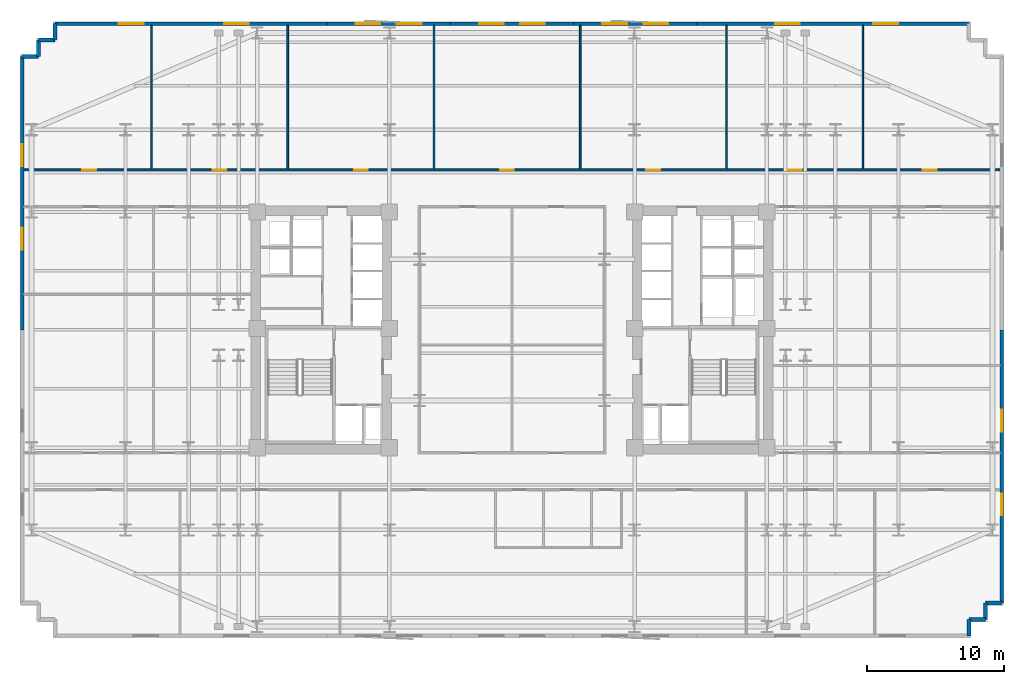
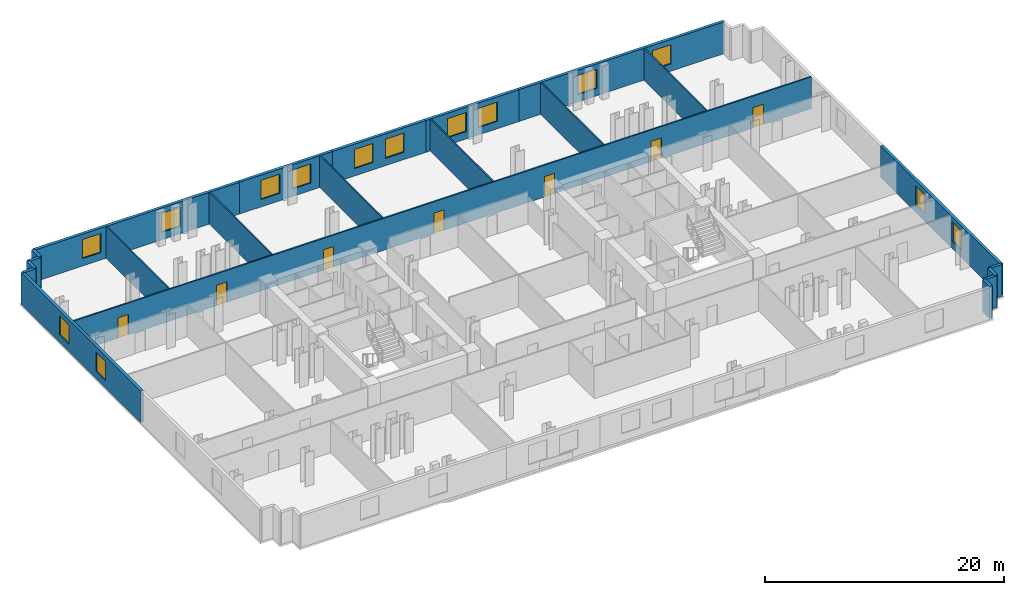
# One storey, part 7 of 10: 22 walls, 14 windows, 7 doors, 21 openings.
"""IFC4 building model written with IfcOpenShell, lengths in metres."""

from ifc_helpers import new_model, si_unit, direction, frame, frame_2d, origin, place, context, subcontext, project, spatial, rectangle, extrude, material, layer, layer_set, type_object, element, fill, save


model = new_model("IFC4")

# Units and contexts
model_context = context("Model", 3, precision=1e-05, world=origin(), true_north=direction((0.0, 1.0)))
body_context = subcontext(model_context, "Body", "Model", "MODEL_VIEW")
ifc_project = project(units=[si_unit("LENGTHUNIT", "METRE"), si_unit("AREAUNIT", "SQUARE_METRE"), si_unit("VOLUMEUNIT", "CUBIC_METRE"), si_unit("PLANEANGLEUNIT", "RADIAN"), si_unit("MASSUNIT", "GRAM", prefix="KILO")], contexts=[model_context])

# Site, building, storey
site_placement = place(None, origin())
site = spatial("IfcSite", under=ifc_project, at=site_placement, CompositionType="ELEMENT")
building_placement = place(site_placement, origin())
building = spatial("IfcBuilding", under=site, at=building_placement, Name="Velakula Bourse", CompositionType="ELEMENT")
storey_placement = place(building_placement, frame((0.0, 0.0, 58.800048828125)))
storey = spatial("IfcBuildingStorey", under=building, at=storey_placement, Name="L15", CompositionType="ELEMENT", Elevation=58.800048828125)

# Wall, openings, windows
ifc_material_1 = material(Name="Red kilned clay facing brick masonry", Category="masonry")
ifc_layer_1 = layer(ifc_material_1, 0.280029296875, Name="Red kilned clay facing brick masonry", Category="masonry")
ifc_layer_set_1 = layer_set([ifc_layer_1], Name="Red kilned clay facing brick masonry")
wall_type_1 = type_object("IfcWallType", Name="WL-EXT-BRK-280", PredefinedType="STANDARD", material=ifc_layer_set_1)
wall_1_placement = place(storey_placement, frame((-33.340087890625, 22.340087890625, 0.0), z_axis=(0.0, 0.0, 1.0), x_axis=(1.0, 0.0, 0.0)))
wall_1 = element("IfcWall", 1, at=wall_1_placement, inside=storey, type_object=wall_type_1, Name="L15 N Brick Spandrel Wall B1", PredefinedType="STANDARD", context=body_context, shape_type="SweptSolid", body=[
    extrude(rectangle(XDim=19.840087890625, YDim=0.280029296875, at=frame_2d((9.919921875, 0.0))), origin(), (0.0, 0.0, 1.0), 3.25),
])
opening_1_placement = place(wall_1_placement, frame((4.663330078125, 0.0, 0.760009765625)))
opening_1 = element("IfcOpeningElement", 2, at=opening_1_placement, cuts=wall_1, Name="Opening W-01", PredefinedType="OPENING", context=body_context, shape_type="SweptSolid", body=[
    extrude(rectangle(XDim=1.800048828125, YDim=1.949951171875, at=frame_2d((0.89990234375, 0.97509765625))), frame((0.0, 0.14990234375, 0.0), z_axis=(0.0, -1.0, 0.0), x_axis=(1.0, 0.0, 0.0)), (0.0, 0.0, 1.0), 0.300048828125),
])
opening_2_placement = place(wall_1_placement, frame((12.32666015625, 0.0, 0.760009765625)))
opening_2 = element("IfcOpeningElement", 3, at=opening_2_placement, cuts=wall_1, Name="Opening W-01", PredefinedType="OPENING", context=body_context, shape_type="SweptSolid", body=[
    extrude(rectangle(XDim=1.800048828125, YDim=1.949951171875, at=frame_2d((0.89990234375, 0.97509765625))), frame((0.0, 0.14990234375, 0.0), z_axis=(0.0, -1.0, 0.0), x_axis=(1.0, 0.0, 0.0)), (0.0, 0.0, 1.0), 0.300048828125),
])
ifc_material_2 = material(Name="Double-glazed solar-control Low-E glass", Category="glass")
window_type_1 = type_object("IfcWindowType", Name="WIN-TWR-1800x2100", PartitioningType="SINGLE_PANEL", PredefinedType="WINDOW", material=ifc_material_2)
window_1_placement = place(opening_1_placement, origin())
window_1 = element("IfcWindow", 4, at=window_1_placement, inside=storey, type_object=window_type_1, Name="L15 Deep-Set Recessed Window 1", OverallHeight=1.949951171875, OverallWidth=1.800048828125, PartitioningType="SINGLE_PANEL", PredefinedType="WINDOW", context=body_context, shape_type="SweptSolid", body=[
    extrude(rectangle(XDim=1.800048828125, YDim=1.949951171875, at=frame_2d((0.89990234375, 0.97509765625))), frame((0.0, 0.030029296875, 0.0), z_axis=(0.0, -1.0, 0.0), x_axis=(1.0, 0.0, 0.0)), (0.0, 0.0, 1.0), 0.06005859375),
])
fill(opening_1, window_1)
window_2_placement = place(opening_2_placement, origin())
window_2 = element("IfcWindow", 5, at=window_2_placement, inside=storey, type_object=window_type_1, Name="L15 Deep-Set Recessed Window 2", OverallHeight=1.949951171875, OverallWidth=1.800048828125, PartitioningType="SINGLE_PANEL", PredefinedType="WINDOW", context=body_context, shape_type="SweptSolid", body=[
    extrude(rectangle(XDim=1.800048828125, YDim=1.949951171875, at=frame_2d((0.89990234375, 0.97509765625))), frame((0.0, 0.030029296875, 0.0), z_axis=(0.0, -1.0, 0.0), x_axis=(1.0, 0.0, 0.0)), (0.0, 0.0, 1.0), 0.06005859375),
])
fill(opening_2, window_2)

wall_2_placement = place(storey_placement, frame((-13.5, 22.340087890625, 0.0), z_axis=(0.0, 0.0, 1.0), x_axis=(1.0, 0.0, 0.0)))
wall_2 = element("IfcWall", 6, at=wall_2_placement, inside=storey, type_object=wall_type_1, Name="L15 N Brick Spandrel Wall B2", PredefinedType="STANDARD", context=body_context, shape_type="SweptSolid", body=[
    extrude(rectangle(XDim=9.0, YDim=0.280029296875, at=frame_2d((4.5, 0.0))), origin(), (0.0, 0.0, 1.0), 3.25),
])
opening_3_placement = place(wall_2_placement, frame((2.10009765625, 0.0, 0.760009765625)))
opening_3 = element("IfcOpeningElement", 7, at=opening_3_placement, cuts=wall_2, Name="Opening W-01", PredefinedType="OPENING", context=body_context, shape_type="SweptSolid", body=[
    extrude(rectangle(XDim=1.800048828125, YDim=1.949951171875, at=frame_2d((0.89990234375, 0.97509765625))), frame((0.0, 0.14990234375, 0.0), z_axis=(0.0, -1.0, 0.0), x_axis=(1.0, 0.0, 0.0)), (0.0, 0.0, 1.0), 0.300048828125),
])
opening_4_placement = place(wall_2_placement, frame((5.10009765625, 0.0, 0.760009765625)))
opening_4 = element("IfcOpeningElement", 8, at=opening_4_placement, cuts=wall_2, Name="Opening W-01", PredefinedType="OPENING", context=body_context, shape_type="SweptSolid", body=[
    extrude(rectangle(XDim=1.800048828125, YDim=1.949951171875, at=frame_2d((0.89990234375, 0.97509765625))), frame((0.0, 0.14990234375, 0.0), z_axis=(0.0, -1.0, 0.0), x_axis=(1.0, 0.0, 0.0)), (0.0, 0.0, 1.0), 0.300048828125),
])
window_3_placement = place(opening_3_placement, origin())
window_3 = element("IfcWindow", 9, at=window_3_placement, inside=storey, type_object=window_type_1, Name="L15 Deep-Set Recessed Window 1", OverallHeight=1.949951171875, OverallWidth=1.800048828125, PartitioningType="SINGLE_PANEL", PredefinedType="WINDOW", context=body_context, shape_type="SweptSolid", body=[
    extrude(rectangle(XDim=1.800048828125, YDim=1.949951171875, at=frame_2d((0.89990234375, 0.97509765625))), frame((0.0, 0.030029296875, 0.0), z_axis=(0.0, -1.0, 0.0), x_axis=(1.0, 0.0, 0.0)), (0.0, 0.0, 1.0), 0.06005859375),
])
fill(opening_3, window_3)
window_4_placement = place(opening_4_placement, origin())
window_4 = element("IfcWindow", 10, at=window_4_placement, inside=storey, type_object=window_type_1, Name="L15 Deep-Set Recessed Window 2", OverallHeight=1.949951171875, OverallWidth=1.800048828125, PartitioningType="SINGLE_PANEL", PredefinedType="WINDOW", context=body_context, shape_type="SweptSolid", body=[
    extrude(rectangle(XDim=1.800048828125, YDim=1.949951171875, at=frame_2d((0.89990234375, 0.97509765625))), frame((0.0, 0.030029296875, 0.0), z_axis=(0.0, -1.0, 0.0), x_axis=(1.0, 0.0, 0.0)), (0.0, 0.0, 1.0), 0.06005859375),
])
fill(opening_4, window_4)

wall_3_placement = place(storey_placement, frame((-4.5, 22.340087890625, 0.0), z_axis=(0.0, 0.0, 1.0), x_axis=(1.0, 0.0, 0.0)))
wall_3 = element("IfcWall", 11, at=wall_3_placement, inside=storey, type_object=wall_type_1, Name="L15 N Brick Spandrel Wall B3", PredefinedType="STANDARD", context=body_context, shape_type="SweptSolid", body=[
    extrude(rectangle(XDim=9.0, YDim=0.280029296875, at=frame_2d((4.5, 0.0))), origin(), (0.0, 0.0, 1.0), 3.25),
])
opening_5_placement = place(wall_3_placement, frame((2.10009765625, 0.0, 0.760009765625)))
opening_5 = element("IfcOpeningElement", 12, at=opening_5_placement, cuts=wall_3, Name="Opening W-01", PredefinedType="OPENING", context=body_context, shape_type="SweptSolid", body=[
    extrude(rectangle(XDim=1.800048828125, YDim=1.949951171875, at=frame_2d((0.89990234375, 0.97509765625))), frame((0.0, 0.14990234375, 0.0), z_axis=(0.0, -1.0, 0.0), x_axis=(1.0, 0.0, 0.0)), (0.0, 0.0, 1.0), 0.300048828125),
])
opening_6_placement = place(wall_3_placement, frame((5.10009765625, 0.0, 0.760009765625)))
opening_6 = element("IfcOpeningElement", 13, at=opening_6_placement, cuts=wall_3, Name="Opening W-01", PredefinedType="OPENING", context=body_context, shape_type="SweptSolid", body=[
    extrude(rectangle(XDim=1.800048828125, YDim=1.949951171875, at=frame_2d((0.89990234375, 0.97509765625))), frame((0.0, 0.14990234375, 0.0), z_axis=(0.0, -1.0, 0.0), x_axis=(1.0, 0.0, 0.0)), (0.0, 0.0, 1.0), 0.300048828125),
])
window_5_placement = place(opening_5_placement, origin())
window_5 = element("IfcWindow", 14, at=window_5_placement, inside=storey, type_object=window_type_1, Name="L15 Deep-Set Recessed Window 1", OverallHeight=1.949951171875, OverallWidth=1.800048828125, PartitioningType="SINGLE_PANEL", PredefinedType="WINDOW", context=body_context, shape_type="SweptSolid", body=[
    extrude(rectangle(XDim=1.800048828125, YDim=1.949951171875, at=frame_2d((0.89990234375, 0.97509765625))), frame((0.0, 0.030029296875, 0.0), z_axis=(0.0, -1.0, 0.0), x_axis=(1.0, 0.0, 0.0)), (0.0, 0.0, 1.0), 0.06005859375),
])
fill(opening_5, window_5)
window_6_placement = place(opening_6_placement, origin())
window_6 = element("IfcWindow", 15, at=window_6_placement, inside=storey, type_object=window_type_1, Name="L15 Deep-Set Recessed Window 2", OverallHeight=1.949951171875, OverallWidth=1.800048828125, PartitioningType="SINGLE_PANEL", PredefinedType="WINDOW", context=body_context, shape_type="SweptSolid", body=[
    extrude(rectangle(XDim=1.800048828125, YDim=1.949951171875, at=frame_2d((0.89990234375, 0.97509765625))), frame((0.0, 0.030029296875, 0.0), z_axis=(0.0, -1.0, 0.0), x_axis=(1.0, 0.0, 0.0)), (0.0, 0.0, 1.0), 0.06005859375),
])
fill(opening_6, window_6)

wall_4_placement = place(storey_placement, frame((4.5, 22.340087890625, 0.0), z_axis=(0.0, 0.0, 1.0), x_axis=(1.0, 0.0, 0.0)))
wall_4 = element("IfcWall", 16, at=wall_4_placement, inside=storey, type_object=wall_type_1, Name="L15 N Brick Spandrel Wall B4", PredefinedType="STANDARD", context=body_context, shape_type="SweptSolid", body=[
    extrude(rectangle(XDim=9.0, YDim=0.280029296875, at=frame_2d((4.5, 0.0))), origin(), (0.0, 0.0, 1.0), 3.25),
])
opening_7_placement = place(wall_4_placement, frame((2.10009765625, 0.0, 0.760009765625)))
opening_7 = element("IfcOpeningElement", 17, at=opening_7_placement, cuts=wall_4, Name="Opening W-01", PredefinedType="OPENING", context=body_context, shape_type="SweptSolid", body=[
    extrude(rectangle(XDim=1.800048828125, YDim=1.949951171875, at=frame_2d((0.89990234375, 0.97509765625))), frame((0.0, 0.14990234375, 0.0), z_axis=(0.0, -1.0, 0.0), x_axis=(1.0, 0.0, 0.0)), (0.0, 0.0, 1.0), 0.300048828125),
])
opening_8_placement = place(wall_4_placement, frame((5.10009765625, 0.0, 0.760009765625)))
opening_8 = element("IfcOpeningElement", 18, at=opening_8_placement, cuts=wall_4, Name="Opening W-01", PredefinedType="OPENING", context=body_context, shape_type="SweptSolid", body=[
    extrude(rectangle(XDim=1.800048828125, YDim=1.949951171875, at=frame_2d((0.89990234375, 0.97509765625))), frame((0.0, 0.14990234375, 0.0), z_axis=(0.0, -1.0, 0.0), x_axis=(1.0, 0.0, 0.0)), (0.0, 0.0, 1.0), 0.300048828125),
])
window_7_placement = place(opening_7_placement, origin())
window_7 = element("IfcWindow", 19, at=window_7_placement, inside=storey, type_object=window_type_1, Name="L15 Deep-Set Recessed Window 1", OverallHeight=1.949951171875, OverallWidth=1.800048828125, PartitioningType="SINGLE_PANEL", PredefinedType="WINDOW", context=body_context, shape_type="SweptSolid", body=[
    extrude(rectangle(XDim=1.800048828125, YDim=1.949951171875, at=frame_2d((0.89990234375, 0.97509765625))), frame((0.0, 0.030029296875, 0.0), z_axis=(0.0, -1.0, 0.0), x_axis=(1.0, 0.0, 0.0)), (0.0, 0.0, 1.0), 0.06005859375),
])
fill(opening_7, window_7)
window_8_placement = place(opening_8_placement, origin())
window_8 = element("IfcWindow", 20, at=window_8_placement, inside=storey, type_object=window_type_1, Name="L15 Deep-Set Recessed Window 2", OverallHeight=1.949951171875, OverallWidth=1.800048828125, PartitioningType="SINGLE_PANEL", PredefinedType="WINDOW", context=body_context, shape_type="SweptSolid", body=[
    extrude(rectangle(XDim=1.800048828125, YDim=1.949951171875, at=frame_2d((0.89990234375, 0.97509765625))), frame((0.0, 0.030029296875, 0.0), z_axis=(0.0, -1.0, 0.0), x_axis=(1.0, 0.0, 0.0)), (0.0, 0.0, 1.0), 0.06005859375),
])
fill(opening_8, window_8)

wall_5_placement = place(storey_placement, frame((13.5, 22.340087890625, 0.0), z_axis=(0.0, 0.0, 1.0), x_axis=(1.0, 0.0, 0.0)))
wall_5 = element("IfcWall", 21, at=wall_5_placement, inside=storey, type_object=wall_type_1, Name="L15 N Brick Spandrel Wall B5", PredefinedType="STANDARD", context=body_context, shape_type="SweptSolid", body=[
    extrude(rectangle(XDim=19.840087890625, YDim=0.280029296875, at=frame_2d((9.919921875, 0.0))), origin(), (0.0, 0.0, 1.0), 3.25),
])
opening_9_placement = place(wall_5_placement, frame((5.71337890625, 0.0, 0.760009765625)))
opening_9 = element("IfcOpeningElement", 22, at=opening_9_placement, cuts=wall_5, Name="Opening W-01", PredefinedType="OPENING", context=body_context, shape_type="SweptSolid", body=[
    extrude(rectangle(XDim=1.800048828125, YDim=1.949951171875, at=frame_2d((0.89990234375, 0.97509765625))), frame((0.0, 0.14990234375, 0.0), z_axis=(0.0, -1.0, 0.0), x_axis=(1.0, 0.0, 0.0)), (0.0, 0.0, 1.0), 0.300048828125),
])
opening_10_placement = place(wall_5_placement, frame((12.876708984375, 0.0, 0.760009765625)))
opening_10 = element("IfcOpeningElement", 23, at=opening_10_placement, cuts=wall_5, Name="Opening W-01", PredefinedType="OPENING", context=body_context, shape_type="SweptSolid", body=[
    extrude(rectangle(XDim=1.800048828125, YDim=1.949951171875, at=frame_2d((0.89990234375, 0.97509765625))), frame((0.0, 0.14990234375, 0.0), z_axis=(0.0, -1.0, 0.0), x_axis=(1.0, 0.0, 0.0)), (0.0, 0.0, 1.0), 0.300048828125),
])
window_9_placement = place(opening_9_placement, origin())
window_9 = element("IfcWindow", 24, at=window_9_placement, inside=storey, type_object=window_type_1, Name="L15 Deep-Set Recessed Window 1", OverallHeight=1.949951171875, OverallWidth=1.800048828125, PartitioningType="SINGLE_PANEL", PredefinedType="WINDOW", context=body_context, shape_type="SweptSolid", body=[
    extrude(rectangle(XDim=1.800048828125, YDim=1.949951171875, at=frame_2d((0.89990234375, 0.97509765625))), frame((0.0, 0.030029296875, 0.0), z_axis=(0.0, -1.0, 0.0), x_axis=(1.0, 0.0, 0.0)), (0.0, 0.0, 1.0), 0.06005859375),
])
fill(opening_9, window_9)
window_10_placement = place(opening_10_placement, origin())
window_10 = element("IfcWindow", 25, at=window_10_placement, inside=storey, type_object=window_type_1, Name="L15 Deep-Set Recessed Window 2", OverallHeight=1.949951171875, OverallWidth=1.800048828125, PartitioningType="SINGLE_PANEL", PredefinedType="WINDOW", context=body_context, shape_type="SweptSolid", body=[
    extrude(rectangle(XDim=1.800048828125, YDim=1.949951171875, at=frame_2d((0.89990234375, 0.97509765625))), frame((0.0, 0.030029296875, 0.0), z_axis=(0.0, -1.0, 0.0), x_axis=(1.0, 0.0, 0.0)), (0.0, 0.0, 1.0), 0.06005859375),
])
fill(opening_10, window_10)

wall_6_placement = place(storey_placement, frame((-35.739990234375, 0.0, 0.0), z_axis=(0.0, 0.0, 1.0), x_axis=(0.0, 1.0, 0.0)))
wall_6 = element("IfcWall", 26, at=wall_6_placement, inside=storey, type_object=wall_type_1, Name="L15 W Brick End Wall W2", PredefinedType="STANDARD", context=body_context, shape_type="SweptSolid", body=[
    extrude(rectangle(XDim=19.93994140625, YDim=0.280029296875, at=frame_2d((9.969970703125, 0.0))), origin(), (0.0, 0.0, 1.0), 3.25),
])
opening_11_placement = place(wall_6_placement, frame((5.8466796875, 0.0, 0.760009765625)))
opening_11 = element("IfcOpeningElement", 27, at=opening_11_placement, cuts=wall_6, Name="Opening W-02", PredefinedType="OPENING", context=body_context, shape_type="SweptSolid", body=[
    extrude(rectangle(XDim=1.60009765625, YDim=1.949951171875, at=frame_2d((0.800048828125, 0.97509765625))), frame((0.0, 0.14990234375, 0.0), z_axis=(0.0, -1.0, 0.0), x_axis=(1.0, 0.0, 0.0)), (0.0, 0.0, 1.0), 0.300048828125),
])
opening_12_placement = place(wall_6_placement, frame((11.943359375, 0.0, 0.760009765625)))
opening_12 = element("IfcOpeningElement", 28, at=opening_12_placement, cuts=wall_6, Name="Opening W-02", PredefinedType="OPENING", context=body_context, shape_type="SweptSolid", body=[
    extrude(rectangle(XDim=1.60009765625, YDim=1.949951171875, at=frame_2d((0.800048828125, 0.97509765625))), frame((0.0, 0.14990234375, 0.0), z_axis=(0.0, -1.0, 0.0), x_axis=(1.0, 0.0, 0.0)), (0.0, 0.0, 1.0), 0.300048828125),
])
window_type_2 = type_object("IfcWindowType", Name="WIN-TWR-1600x2100", PartitioningType="SINGLE_PANEL", PredefinedType="WINDOW", material=ifc_material_2)
window_11_placement = place(opening_11_placement, origin())
window_11 = element("IfcWindow", 29, at=window_11_placement, inside=storey, type_object=window_type_2, Name="L15 Deep-Set Recessed Window 1", OverallHeight=1.949951171875, OverallWidth=1.60009765625, PartitioningType="SINGLE_PANEL", PredefinedType="WINDOW", context=body_context, shape_type="SweptSolid", body=[
    extrude(rectangle(XDim=1.60009765625, YDim=1.949951171875, at=frame_2d((0.800048828125, 0.97509765625))), frame((0.0, 0.030029296875, 0.0), z_axis=(0.0, -1.0, 0.0), x_axis=(1.0, 0.0, 0.0)), (0.0, 0.0, 1.0), 0.06005859375),
])
fill(opening_11, window_11)
window_12_placement = place(opening_12_placement, origin())
window_12 = element("IfcWindow", 30, at=window_12_placement, inside=storey, type_object=window_type_2, Name="L15 Deep-Set Recessed Window 2", OverallHeight=1.949951171875, OverallWidth=1.60009765625, PartitioningType="SINGLE_PANEL", PredefinedType="WINDOW", context=body_context, shape_type="SweptSolid", body=[
    extrude(rectangle(XDim=1.60009765625, YDim=1.949951171875, at=frame_2d((0.800048828125, 0.97509765625))), frame((0.0, 0.030029296875, 0.0), z_axis=(0.0, -1.0, 0.0), x_axis=(1.0, 0.0, 0.0)), (0.0, 0.0, 1.0), 0.06005859375),
])
fill(opening_12, window_12)

wall_7_placement = place(storey_placement, frame((35.739990234375, 0.0, 0.0), z_axis=(0.0, 0.0, 1.0), x_axis=(0.0, -1.0, 0.0)))
wall_7 = element("IfcWall", 31, at=wall_7_placement, inside=storey, type_object=wall_type_1, Name="L15 E Brick End Wall W1", PredefinedType="STANDARD", context=body_context, shape_type="SweptSolid", body=[
    extrude(rectangle(XDim=19.93994140625, YDim=0.280029296875, at=frame_2d((9.969970703125, 0.0))), origin(), (0.0, 0.0, 1.0), 3.25),
])
opening_13_placement = place(wall_7_placement, frame((5.8466796875, 0.0, 0.760009765625)))
opening_13 = element("IfcOpeningElement", 32, at=opening_13_placement, cuts=wall_7, Name="Opening W-02", PredefinedType="OPENING", context=body_context, shape_type="SweptSolid", body=[
    extrude(rectangle(XDim=1.60009765625, YDim=1.949951171875, at=frame_2d((0.800048828125, 0.97509765625))), frame((0.0, 0.14990234375, 0.0), z_axis=(0.0, -1.0, 0.0), x_axis=(1.0, 0.0, 0.0)), (0.0, 0.0, 1.0), 0.300048828125),
])
opening_14_placement = place(wall_7_placement, frame((11.943359375, 0.0, 0.760009765625)))
opening_14 = element("IfcOpeningElement", 33, at=opening_14_placement, cuts=wall_7, Name="Opening W-02", PredefinedType="OPENING", context=body_context, shape_type="SweptSolid", body=[
    extrude(rectangle(XDim=1.60009765625, YDim=1.949951171875, at=frame_2d((0.800048828125, 0.97509765625))), frame((0.0, 0.14990234375, 0.0), z_axis=(0.0, -1.0, 0.0), x_axis=(1.0, 0.0, 0.0)), (0.0, 0.0, 1.0), 0.300048828125),
])
window_13_placement = place(opening_13_placement, origin())
window_13 = element("IfcWindow", 34, at=window_13_placement, inside=storey, type_object=window_type_2, Name="L15 Deep-Set Recessed Window 1", OverallHeight=1.949951171875, OverallWidth=1.60009765625, PartitioningType="SINGLE_PANEL", PredefinedType="WINDOW", context=body_context, shape_type="SweptSolid", body=[
    extrude(rectangle(XDim=1.60009765625, YDim=1.949951171875, at=frame_2d((0.800048828125, 0.97509765625))), frame((0.0, 0.030029296875, 0.0), z_axis=(0.0, -1.0, 0.0), x_axis=(1.0, 0.0, 0.0)), (0.0, 0.0, 1.0), 0.06005859375),
])
fill(opening_13, window_13)
window_14_placement = place(opening_14_placement, origin())
window_14 = element("IfcWindow", 35, at=window_14_placement, inside=storey, type_object=window_type_2, Name="L15 Deep-Set Recessed Window 2", OverallHeight=1.949951171875, OverallWidth=1.60009765625, PartitioningType="SINGLE_PANEL", PredefinedType="WINDOW", context=body_context, shape_type="SweptSolid", body=[
    extrude(rectangle(XDim=1.60009765625, YDim=1.949951171875, at=frame_2d((0.800048828125, 0.97509765625))), frame((0.0, 0.030029296875, 0.0), z_axis=(0.0, -1.0, 0.0), x_axis=(1.0, 0.0, 0.0)), (0.0, 0.0, 1.0), 0.06005859375),
])
fill(opening_14, window_14)

# Walls
wall_8_placement = place(storey_placement, frame((33.340087890625, -22.340087890625, 0.0), z_axis=(0.0, 0.0, 1.0), x_axis=(0.0, 1.0, 0.0)))
element("IfcWall", 36, at=wall_8_placement, inside=storey, type_object=wall_type_1, Name="L15 Serrated Corner Brick Wall SE-1", PredefinedType="STANDARD", context=body_context, shape_type="SweptSolid", body=[
    extrude(rectangle(XDim=1.2001953125, YDim=0.280029296875, at=frame_2d((0.60009765625, 0.0))), origin(), (0.0, 0.0, 1.0), 3.25),
])
for number, where, z_axis, x_axis, name in (
    (37, (33.340087890625, -21.139892578125, 0.0), (0.0, 0.0, 1.0), (1.0, 0.0, 0.0), "L15 Serrated Corner Brick Wall SE-2"),
    (38, (34.5400390625, -21.139892578125, 0.0), (0.0, 0.0, 1.0), (0.0, 1.0, 0.0), "L15 Serrated Corner Brick Wall SE-3"),
    (39, (34.5400390625, -19.93994140625, 0.0), (0.0, 0.0, 1.0), (1.0, 0.0, 0.0), "L15 Serrated Corner Brick Wall SE-4"),
):
    element("IfcWall", number, at=place(storey_placement, frame(where, z_axis=z_axis, x_axis=x_axis)), inside=storey, type_object=wall_type_1, Name=name, PredefinedType="STANDARD", context=body_context, shape_type="SweptSolid", body=[
        extrude(rectangle(XDim=1.199951171875, YDim=0.280029296875, at=frame_2d((0.60009765625, 0.0))), origin(), (0.0, 0.0, 1.0), 3.25),
    ])
wall_9_placement = place(storey_placement, frame((-33.340087890625, 22.340087890625, 0.0), z_axis=(0.0, 0.0, 1.0), x_axis=(0.0, -1.0, 0.0)))
element("IfcWall", 40, at=wall_9_placement, inside=storey, type_object=wall_type_1, Name="L15 Serrated Corner Brick Wall NW-1", PredefinedType="STANDARD", context=body_context, shape_type="SweptSolid", body=[
    extrude(rectangle(XDim=1.2001953125, YDim=0.280029296875, at=frame_2d((0.60009765625, 0.0))), origin(), (0.0, 0.0, 1.0), 3.25),
])
for number, where, z_axis, x_axis, name in (
    (41, (-33.340087890625, 21.139892578125, 0.0), (0.0, 0.0, 1.0), (-1.0, 0.0, 0.0), "L15 Serrated Corner Brick Wall NW-2"),
    (42, (-34.5400390625, 21.139892578125, 0.0), (0.0, 0.0, 1.0), (0.0, -1.0, 0.0), "L15 Serrated Corner Brick Wall NW-3"),
    (43, (-34.5400390625, 19.93994140625, 0.0), (0.0, 0.0, 1.0), (-1.0, 0.0, 0.0), "L15 Serrated Corner Brick Wall NW-4"),
):
    element("IfcWall", number, at=place(storey_placement, frame(where, z_axis=z_axis, x_axis=x_axis)), inside=storey, type_object=wall_type_1, Name=name, PredefinedType="STANDARD", context=body_context, shape_type="SweptSolid", body=[
        extrude(rectangle(XDim=1.199951171875, YDim=0.280029296875, at=frame_2d((0.60009765625, 0.0))), origin(), (0.0, 0.0, 1.0), 3.25),
    ])
ifc_material_3 = material(Name="Fire-rated double-layer gypsum drywall partition", Category="gypsum")
ifc_layer_2 = layer(ifc_material_3, 0.1201171875, Name="Fire-rated double-layer gypsum drywall partition", Category="gypsum")
ifc_layer_set_2 = layer_set([ifc_layer_2], Name="Fire-rated double-layer gypsum drywall partition")
wall_type_2 = type_object("IfcWallType", Name="WL-PART-120", PredefinedType="STANDARD", material=ifc_layer_set_2)
for number, where, z_axis, x_axis, name in (
    (44, (-26.31396484375, 11.739990234375, 0.0), (0.0, 0.0, 1.0), (0.0, 1.0, 0.0), "L15 Interior Partition WL-INT-L15-N-D1"),
    (45, (-16.35791015625, 11.739990234375, 0.0), (0.0, 0.0, 1.0), (0.0, 1.0, 0.0), "L15 Interior Partition WL-INT-L15-N-D2"),
    (46, (-5.68994140625, 11.739990234375, 0.0), (0.0, 0.0, 1.0), (0.0, 1.0, 0.0), "L15 Interior Partition WL-INT-L15-N-D3"),
    (47, (4.97802734375, 11.739990234375, 0.0), (0.0, 0.0, 1.0), (0.0, 1.0, 0.0), "L15 Interior Partition WL-INT-L15-N-D4"),
    (48, (15.64599609375, 11.739990234375, 0.0), (0.0, 0.0, 1.0), (0.0, 1.0, 0.0), "L15 Interior Partition WL-INT-L15-N-D5"),
    (49, (25.60302734375, 11.739990234375, 0.0), (0.0, 0.0, 1.0), (0.0, 1.0, 0.0), "L15 Interior Partition WL-INT-L15-N-D6"),
):
    element("IfcWall", number, at=place(storey_placement, frame(where, z_axis=z_axis, x_axis=x_axis)), inside=storey, type_object=wall_type_2, Name=name, PredefinedType="STANDARD", context=body_context, shape_type="SweptSolid", body=[
        extrude(rectangle(XDim=10.47998046875, YDim=0.1201171875, at=frame_2d((5.239990234375, 0.0))), origin(), (0.0, 0.0, 1.0), 3.25),
    ])

# Wall, openings, doors
ifc_layer_3 = layer(ifc_material_3, 0.139892578125, Name="Fire-rated double-layer gypsum drywall partition", Category="gypsum")
ifc_layer_set_3 = layer_set([ifc_layer_3], Name="Fire-rated double-layer gypsum drywall partition")
wall_type_3 = type_object("IfcWallType", Name="WL-PART-140", PredefinedType="STANDARD", material=ifc_layer_set_3)
wall_10_placement = place(storey_placement, frame((-35.6201171875, 11.669921875, 0.0), z_axis=(0.0, 0.0, 1.0), x_axis=(1.0, 0.0, 0.0)))
wall_10 = element("IfcWall", 50, at=wall_10_placement, inside=storey, type_object=wall_type_3, Name="L15 Interior Partition WL-INT-L15-N-CORR", PredefinedType="STANDARD", context=body_context, shape_type="SweptSolid", body=[
    extrude(rectangle(XDim=71.240234375, YDim=0.139892578125, at=frame_2d((35.6201171875, 0.0))), origin(), (0.0, 0.0, 1.0), 3.25),
])
opening_15_placement = place(wall_10_placement, frame((4.279052734375, 0.0, 0.0)))
opening_15 = element("IfcOpeningElement", 51, at=opening_15_placement, cuts=wall_10, Name="Opening D-OF1", PredefinedType="OPENING", context=body_context, shape_type="SweptSolid", body=[
    extrude(rectangle(XDim=1.0, YDim=2.080078125, at=frame_2d((0.5, 1.0400390625))), frame((0.0, 0.079833984375, 0.0), z_axis=(0.0, -1.0, 0.0), x_axis=(1.0, 0.0, 0.0)), (0.0, 0.0, 1.0), 0.159912109375),
])
opening_16_placement = place(wall_10_placement, frame((13.783935546875, 0.0, 0.0)))
opening_16 = element("IfcOpeningElement", 52, at=opening_16_placement, cuts=wall_10, Name="Opening D-OF1", PredefinedType="OPENING", context=body_context, shape_type="SweptSolid", body=[
    extrude(rectangle(XDim=1.0, YDim=2.080078125, at=frame_2d((0.5, 1.0400390625))), frame((0.0, 0.079833984375, 0.0), z_axis=(0.0, -1.0, 0.0), x_axis=(1.0, 0.0, 0.0)), (0.0, 0.0, 1.0), 0.159912109375),
])
opening_17_placement = place(wall_10_placement, frame((24.095947265625, 0.0, 0.0)))
opening_17 = element("IfcOpeningElement", 53, at=opening_17_placement, cuts=wall_10, Name="Opening D-OF1", PredefinedType="OPENING", context=body_context, shape_type="SweptSolid", body=[
    extrude(rectangle(XDim=1.0, YDim=2.080078125, at=frame_2d((0.5, 1.0400390625))), frame((0.0, 0.079833984375, 0.0), z_axis=(0.0, -1.0, 0.0), x_axis=(1.0, 0.0, 0.0)), (0.0, 0.0, 1.0), 0.159912109375),
])
opening_18_placement = place(wall_10_placement, frame((34.763916015625, 0.0, 0.0)))
opening_18 = element("IfcOpeningElement", 54, at=opening_18_placement, cuts=wall_10, Name="Opening D-OF1", PredefinedType="OPENING", context=body_context, shape_type="SweptSolid", body=[
    extrude(rectangle(XDim=1.0, YDim=2.080078125, at=frame_2d((0.5, 1.0400390625))), frame((0.0, 0.079833984375, 0.0), z_axis=(0.0, -1.0, 0.0), x_axis=(1.0, 0.0, 0.0)), (0.0, 0.0, 1.0), 0.159912109375),
])
opening_19_placement = place(wall_10_placement, frame((45.431884765625, 0.0, 0.0)))
opening_19 = element("IfcOpeningElement", 55, at=opening_19_placement, cuts=wall_10, Name="Opening D-OF1", PredefinedType="OPENING", context=body_context, shape_type="SweptSolid", body=[
    extrude(rectangle(XDim=1.0, YDim=2.080078125, at=frame_2d((0.5, 1.0400390625))), frame((0.0, 0.079833984375, 0.0), z_axis=(0.0, -1.0, 0.0), x_axis=(1.0, 0.0, 0.0)), (0.0, 0.0, 1.0), 0.159912109375),
])
opening_20_placement = place(wall_10_placement, frame((55.744384765625, 0.0, 0.0)))
opening_20 = element("IfcOpeningElement", 56, at=opening_20_placement, cuts=wall_10, Name="Opening D-OF1", PredefinedType="OPENING", context=body_context, shape_type="SweptSolid", body=[
    extrude(rectangle(XDim=1.0, YDim=2.080078125, at=frame_2d((0.5, 1.0400390625))), frame((0.0, 0.079833984375, 0.0), z_axis=(0.0, -1.0, 0.0), x_axis=(1.0, 0.0, 0.0)), (0.0, 0.0, 1.0), 0.159912109375),
])
opening_21_placement = place(wall_10_placement, frame((65.60546875, 0.0, 0.0)))
opening_21 = element("IfcOpeningElement", 57, at=opening_21_placement, cuts=wall_10, Name="Opening D-OF1", PredefinedType="OPENING", context=body_context, shape_type="SweptSolid", body=[
    extrude(rectangle(XDim=1.0, YDim=2.080078125, at=frame_2d((0.5, 1.0400390625))), frame((0.0, 0.079833984375, 0.0), z_axis=(0.0, -1.0, 0.0), x_axis=(1.0, 0.0, 0.0)), (0.0, 0.0, 1.0), 0.159912109375),
])
ifc_material_4 = material(Name="Fire-rated hardwood flush architectural door", Category="wood")
door_type = type_object("IfcDoorType", Name="DR-OFF-1000", OperationType="NOTDEFINED", PredefinedType="DOOR", material=ifc_material_4)
door_1_placement = place(opening_15_placement, origin())
door_1 = element("IfcDoor", 58, at=door_1_placement, inside=storey, type_object=door_type, Name="L15 Commodity Futures Workspace Door", OperationType="SINGLE_SWING_LEFT", OverallHeight=2.080078125, OverallWidth=1.0, PredefinedType="DOOR", context=body_context, shape_type="SweptSolid", body=[
    extrude(rectangle(XDim=1.0, YDim=2.080078125, at=frame_2d((0.5, 1.0400390625))), frame((0.0, 0.02490234375, 0.0), z_axis=(0.0, -1.0, 0.0), x_axis=(1.0, 0.0, 0.0)), (0.0, 0.0, 1.0), 0.050048828125),
])
fill(opening_15, door_1)
door_2_placement = place(opening_16_placement, origin())
door_2 = element("IfcDoor", 59, at=door_2_placement, inside=storey, type_object=door_type, Name="L15 Training Classroom Door", OperationType="SINGLE_SWING_RIGHT", OverallHeight=2.080078125, OverallWidth=1.0, PredefinedType="DOOR", context=body_context, shape_type="SweptSolid", body=[
    extrude(rectangle(XDim=1.0, YDim=2.080078125, at=frame_2d((0.5, 1.0400390625))), frame((0.0, 0.02490234375, 0.0), z_axis=(0.0, -1.0, 0.0), x_axis=(1.0, 0.0, 0.0)), (0.0, 0.0, 1.0), 0.050048828125),
])
fill(opening_16, door_2)
door_3_placement = place(opening_17_placement, origin())
door_3 = element("IfcDoor", 60, at=door_3_placement, inside=storey, type_object=door_type, Name="L15 Tea Room Kitchenette Door", OperationType="SINGLE_SWING_LEFT", OverallHeight=2.080078125, OverallWidth=1.0, PredefinedType="DOOR", context=body_context, shape_type="SweptSolid", body=[
    extrude(rectangle(XDim=1.0, YDim=2.080078125, at=frame_2d((0.5, 1.0400390625))), frame((0.0, 0.02490234375, 0.0), z_axis=(0.0, -1.0, 0.0), x_axis=(1.0, 0.0, 0.0)), (0.0, 0.0, 1.0), 0.050048828125),
])
fill(opening_17, door_3)
door_4_placement = place(opening_18_placement, origin())
door_4 = element("IfcDoor", 61, at=door_4_placement, inside=storey, type_object=door_type, Name="L15 Quiet Financial Library Door", OperationType="SINGLE_SWING_RIGHT", OverallHeight=2.080078125, OverallWidth=1.0, PredefinedType="DOOR", context=body_context, shape_type="SweptSolid", body=[
    extrude(rectangle(XDim=1.0, YDim=2.080078125, at=frame_2d((0.5, 1.0400390625))), frame((0.0, 0.02490234375, 0.0), z_axis=(0.0, -1.0, 0.0), x_axis=(1.0, 0.0, 0.0)), (0.0, 0.0, 1.0), 0.050048828125),
])
fill(opening_18, door_4)
door_5_placement = place(opening_19_placement, origin())
door_5 = element("IfcDoor", 62, at=door_5_placement, inside=storey, type_object=door_type, Name="L15 Issuer Relations Office Door", OperationType="SINGLE_SWING_LEFT", OverallHeight=2.080078125, OverallWidth=1.0, PredefinedType="DOOR", context=body_context, shape_type="SweptSolid", body=[
    extrude(rectangle(XDim=1.0, YDim=2.080078125, at=frame_2d((0.5, 1.0400390625))), frame((0.0, 0.02490234375, 0.0), z_axis=(0.0, -1.0, 0.0), x_axis=(1.0, 0.0, 0.0)), (0.0, 0.0, 1.0), 0.050048828125),
])
fill(opening_19, door_5)
door_6_placement = place(opening_20_placement, origin())
door_6 = element("IfcDoor", 63, at=door_6_placement, inside=storey, type_object=door_type, Name="L15 Commodity Futures Workspace Door", OperationType="SINGLE_SWING_RIGHT", OverallHeight=2.080078125, OverallWidth=1.0, PredefinedType="DOOR", context=body_context, shape_type="SweptSolid", body=[
    extrude(rectangle(XDim=1.0, YDim=2.080078125, at=frame_2d((0.5, 1.0400390625))), frame((0.0, 0.02490234375, 0.0), z_axis=(0.0, -1.0, 0.0), x_axis=(1.0, 0.0, 0.0)), (0.0, 0.0, 1.0), 0.050048828125),
])
fill(opening_20, door_6)
door_7_placement = place(opening_21_placement, origin())
door_7 = element("IfcDoor", 64, at=door_7_placement, inside=storey, type_object=door_type, Name="L15 Company Secretary Office Door", OperationType="SINGLE_SWING_LEFT", OverallHeight=2.080078125, OverallWidth=1.0, PredefinedType="DOOR", context=body_context, shape_type="SweptSolid", body=[
    extrude(rectangle(XDim=1.0, YDim=2.080078125, at=frame_2d((0.5, 1.0400390625))), frame((0.0, 0.02490234375, 0.0), z_axis=(0.0, -1.0, 0.0), x_axis=(1.0, 0.0, 0.0)), (0.0, 0.0, 1.0), 0.050048828125),
])
fill(opening_21, door_7)

save(model, "model.ifc")
